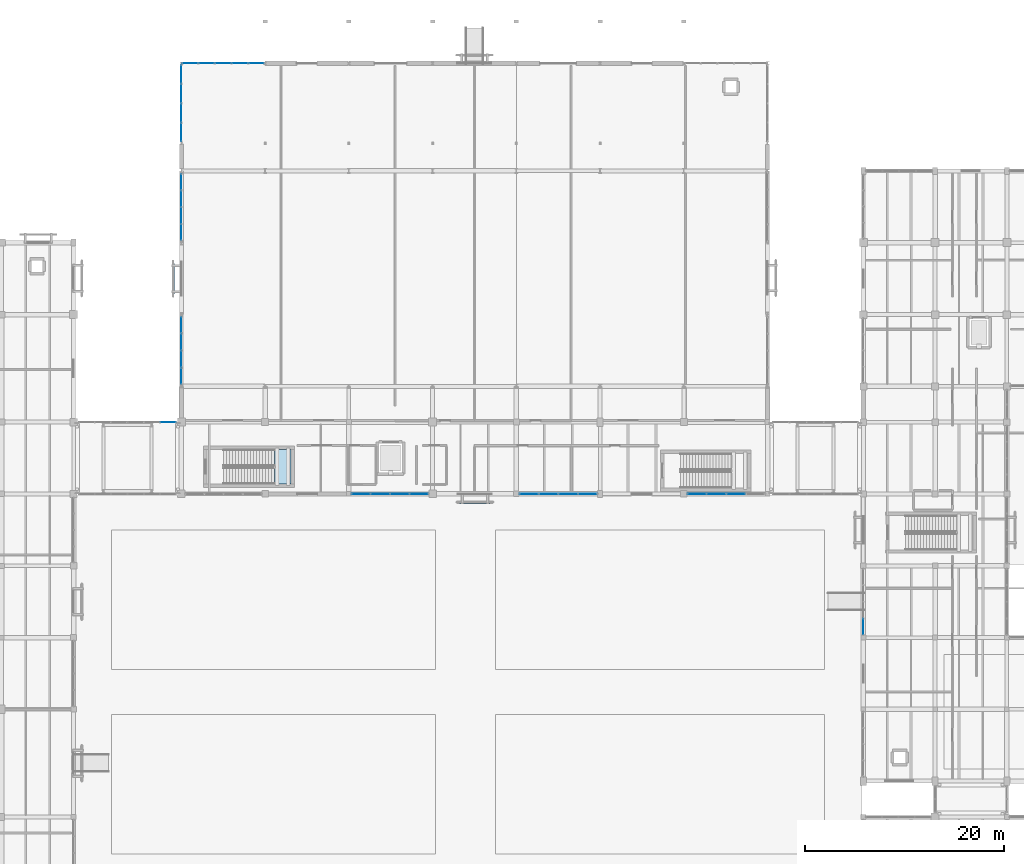
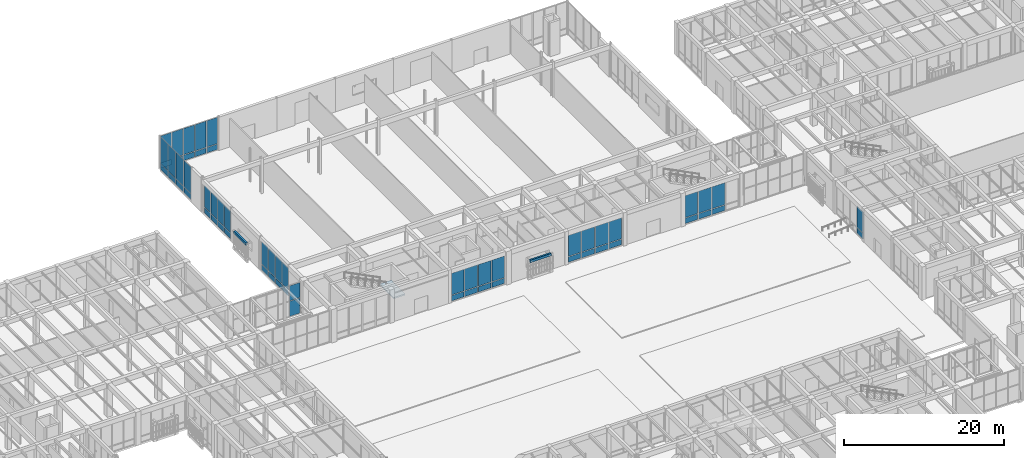
# One storey, part 114 of 169: 62 plates, 1 slab, 10 elements without a shape of their own.
"""IFC4 building model written with IfcOpenShell, lengths in metres."""

from ifc_helpers import new_model, si_unit, direction, frame, origin, origin_2d, place, context, subcontext, project, spatial, polyline, rectangle, outline, extrude, material, layer, layer_set, type_object, element, aggregate, save


model = new_model("IFC4")

# Units and contexts
model_context = context("Model", 3, precision=1e-05, world=origin(), true_north=direction((0.0, 1.0)))
body_context = subcontext(model_context, "Body", "Model", "MODEL_VIEW")
ifc_project = project(units=[si_unit("LENGTHUNIT", "METRE"), si_unit("AREAUNIT", "SQUARE_METRE"), si_unit("VOLUMEUNIT", "CUBIC_METRE"), si_unit("PLANEANGLEUNIT", "RADIAN"), si_unit("MASSUNIT", "GRAM", prefix="KILO")], contexts=[model_context])

# Site, building, storey
site_placement = place(None, origin())
site = spatial("IfcSite", under=ifc_project, at=site_placement, CompositionType="ELEMENT")
building_placement = place(site_placement, origin())
building = spatial("IfcBuilding", under=site, at=building_placement, Name="Mazaris Harbour Polytechnic", CompositionType="ELEMENT")
storey_placement = place(building_placement, origin())
storey = spatial("IfcBuildingStorey", under=building, at=storey_placement, Name="L00", CompositionType="ELEMENT", Elevation=0.0)

# Curtain wall, plates
ifc_material_1 = material(Name="Anodised Bronze Aluminium and Low-E Glass", Category="aluminium")
ifc_layer_1 = layer(ifc_material_1, 0.14990234375, Name="Anodised Bronze Aluminium and Low-E Glass")
ifc_layer_set_1 = layer_set([ifc_layer_1], Name="Anodised Bronze Aluminium and Low-E Glass")
curtain_wall_type_1 = type_object("IfcCurtainWallType", Name="Workshop Clerestory Curtain Wall", PredefinedType="NOTDEFINED", material=ifc_layer_set_1)
curtain_wall_1_placement = place(storey_placement, origin())
curtain_wall_1 = element("IfcCurtainWall", 1, at=curtain_wall_1_placement, inside=storey, type_object=curtain_wall_type_1, Name="V1 L00 Curtain Wall 2", PredefinedType="NOTDEFINED")
ifc_material_2 = material(Name="Acoustic Low-E Double Glazing", Category="glass")
ifc_layer_2 = layer(ifc_material_2, 0.033935546875, Name="Acoustic Low-E Double Glazing")
ifc_layer_set_2 = layer_set([ifc_layer_2], Name="Acoustic Low-E Double Glazing")
plate_type_1 = type_object("IfcPlateType", Name="Acoustic Laminated Glass Panel 34", PredefinedType="CURTAIN_PANEL", material=ifc_layer_set_2)
plate_1_placement = place(storey_placement, frame((77.8310546875, 75.60009765625, 0.080078125), z_axis=(0.0, 0.0, 1.0), x_axis=(-1.0, 0.0, 0.0)))
plate_1 = element("IfcPlate", 2, at=plate_1_placement, type_object=plate_type_1, Name="CW-04 panel 1.1", PredefinedType="CURTAIN_PANEL", context=body_context, shape_type="SweptSolid", body=[
    extrude(rectangle(XDim=1.803955078125, YDim=0.033935546875, at=origin_2d()), origin(), (0.0, 0.0, 1.0), 0.830078125),
])
plate_2_placement = place(storey_placement, frame((77.8310546875, 75.60009765625, 0.98974609375), z_axis=(0.0, 0.0, 1.0), x_axis=(-1.0, 0.0, 0.0)))
plate_2 = element("IfcPlate", 3, at=plate_2_placement, type_object=plate_type_1, Name="CW-04 panel 1.2", PredefinedType="CURTAIN_PANEL", context=body_context, shape_type="SweptSolid", body=[
    extrude(rectangle(XDim=1.803955078125, YDim=0.033935546875, at=origin_2d()), origin(), (0.0, 0.0, 1.0), 3.300048828125),
])
plate_3_placement = place(storey_placement, frame((75.902099609375, 75.60009765625, 0.080078125), z_axis=(0.0, 0.0, 1.0), x_axis=(-1.0, 0.0, 0.0)))
plate_3 = element("IfcPlate", 4, at=plate_3_placement, type_object=plate_type_1, Name="CW-04 panel 2.1", PredefinedType="CURTAIN_PANEL", context=body_context, shape_type="SweptSolid", body=[
    extrude(rectangle(XDim=1.85400390625, YDim=0.033935546875, at=origin_2d()), origin(), (0.0, 0.0, 1.0), 0.830078125),
])
plate_4_placement = place(storey_placement, frame((75.902099609375, 75.60009765625, 0.98974609375), z_axis=(0.0, 0.0, 1.0), x_axis=(-1.0, 0.0, 0.0)))
plate_4 = element("IfcPlate", 5, at=plate_4_placement, type_object=plate_type_1, Name="CW-04 panel 2.2", PredefinedType="CURTAIN_PANEL", context=body_context, shape_type="SweptSolid", body=[
    extrude(rectangle(XDim=1.85400390625, YDim=0.033935546875, at=origin_2d()), origin(), (0.0, 0.0, 1.0), 3.300048828125),
])
plate_5_placement = place(storey_placement, frame((73.947998046875, 75.60009765625, 0.080078125), z_axis=(0.0, 0.0, 1.0), x_axis=(-1.0, 0.0, 0.0)))
plate_5 = element("IfcPlate", 6, at=plate_5_placement, type_object=plate_type_1, Name="CW-04 panel 3.1", PredefinedType="CURTAIN_PANEL", context=body_context, shape_type="SweptSolid", body=[
    extrude(rectangle(XDim=1.85400390625, YDim=0.033935546875, at=origin_2d()), origin(), (0.0, 0.0, 1.0), 0.830078125),
])
plate_6_placement = place(storey_placement, frame((73.947998046875, 75.60009765625, 0.98974609375), z_axis=(0.0, 0.0, 1.0), x_axis=(-1.0, 0.0, 0.0)))
plate_6 = element("IfcPlate", 7, at=plate_6_placement, type_object=plate_type_1, Name="CW-04 panel 3.2", PredefinedType="CURTAIN_PANEL", context=body_context, shape_type="SweptSolid", body=[
    extrude(rectangle(XDim=1.85400390625, YDim=0.033935546875, at=origin_2d()), origin(), (0.0, 0.0, 1.0), 3.300048828125),
])
plate_7_placement = place(storey_placement, frame((72.01904296875, 75.60009765625, 0.080078125), z_axis=(0.0, 0.0, 1.0), x_axis=(-1.0, 0.0, 0.0)))
plate_7 = element("IfcPlate", 8, at=plate_7_placement, type_object=plate_type_1, Name="CW-04 panel 4.1", PredefinedType="CURTAIN_PANEL", context=body_context, shape_type="SweptSolid", body=[
    extrude(rectangle(XDim=1.803955078125, YDim=0.033935546875, at=origin_2d()), origin(), (0.0, 0.0, 1.0), 0.830078125),
])
plate_8_placement = place(storey_placement, frame((72.01904296875, 75.60009765625, 0.98974609375), z_axis=(0.0, 0.0, 1.0), x_axis=(-1.0, 0.0, 0.0)))
plate_8 = element("IfcPlate", 9, at=plate_8_placement, type_object=plate_type_1, Name="CW-04 panel 4.2", PredefinedType="CURTAIN_PANEL", context=body_context, shape_type="SweptSolid", body=[
    extrude(rectangle(XDim=1.803955078125, YDim=0.033935546875, at=origin_2d()), origin(), (0.0, 0.0, 1.0), 3.300048828125),
])
aggregate(curtain_wall_1, [plate_1, plate_2, plate_3, plate_4, plate_5, plate_6, plate_7, plate_8])

curtain_wall_2_placement = place(storey_placement, origin())
curtain_wall_2 = element("IfcCurtainWall", 10, at=curtain_wall_2_placement, inside=storey, type_object=curtain_wall_type_1, Name="V1 L00 Curtain Wall 3", PredefinedType="NOTDEFINED")
plate_9_placement = place(storey_placement, frame((94.74658203125, 75.60009765625, 0.080078125), z_axis=(0.0, 0.0, 1.0), x_axis=(-1.0, 0.0, 0.0)))
plate_9 = element("IfcPlate", 11, at=plate_9_placement, type_object=plate_type_1, Name="CW-04 panel 1.1", PredefinedType="CURTAIN_PANEL", context=body_context, shape_type="SweptSolid", body=[
    extrude(rectangle(XDim=1.82275390625, YDim=0.033935546875, at=origin_2d()), origin(), (0.0, 0.0, 1.0), 0.830078125),
])
plate_10_placement = place(storey_placement, frame((94.74658203125, 75.60009765625, 0.990234375), z_axis=(0.0, 0.0, 1.0), x_axis=(-1.0, 0.0, 0.0)))
plate_10 = element("IfcPlate", 12, at=plate_10_placement, type_object=plate_type_1, Name="CW-04 panel 1.2", PredefinedType="CURTAIN_PANEL", context=body_context, shape_type="SweptSolid", body=[
    extrude(rectangle(XDim=1.82275390625, YDim=0.033935546875, at=origin_2d()), origin(), (0.0, 0.0, 1.0), 3.199951171875),
])
plate_11_placement = place(storey_placement, frame((92.798828125, 75.60009765625, 0.080078125), z_axis=(0.0, 0.0, 1.0), x_axis=(-1.0, 0.0, 0.0)))
plate_11 = element("IfcPlate", 13, at=plate_11_placement, type_object=plate_type_1, Name="CW-04 panel 2.1", PredefinedType="CURTAIN_PANEL", context=body_context, shape_type="SweptSolid", body=[
    extrude(rectangle(XDim=1.872802734375, YDim=0.033935546875, at=origin_2d()), origin(), (0.0, 0.0, 1.0), 0.830078125),
])
plate_12_placement = place(storey_placement, frame((92.798828125, 75.60009765625, 0.990234375), z_axis=(0.0, 0.0, 1.0), x_axis=(-1.0, 0.0, 0.0)))
plate_12 = element("IfcPlate", 14, at=plate_12_placement, type_object=plate_type_1, Name="CW-04 panel 2.2", PredefinedType="CURTAIN_PANEL", context=body_context, shape_type="SweptSolid", body=[
    extrude(rectangle(XDim=1.872802734375, YDim=0.033935546875, at=origin_2d()), origin(), (0.0, 0.0, 1.0), 3.199951171875),
])
plate_13_placement = place(storey_placement, frame((90.826171875, 75.60009765625, 0.080078125), z_axis=(0.0, 0.0, 1.0), x_axis=(-1.0, 0.0, 0.0)))
plate_13 = element("IfcPlate", 15, at=plate_13_placement, type_object=plate_type_1, Name="CW-04 panel 3.1", PredefinedType="CURTAIN_PANEL", context=body_context, shape_type="SweptSolid", body=[
    extrude(rectangle(XDim=1.872802734375, YDim=0.033935546875, at=origin_2d()), origin(), (0.0, 0.0, 1.0), 0.830078125),
])
plate_14_placement = place(storey_placement, frame((90.826171875, 75.60009765625, 0.990234375), z_axis=(0.0, 0.0, 1.0), x_axis=(-1.0, 0.0, 0.0)))
plate_14 = element("IfcPlate", 16, at=plate_14_placement, type_object=plate_type_1, Name="CW-04 panel 3.2", PredefinedType="CURTAIN_PANEL", context=body_context, shape_type="SweptSolid", body=[
    extrude(rectangle(XDim=1.872802734375, YDim=0.033935546875, at=origin_2d()), origin(), (0.0, 0.0, 1.0), 3.199951171875),
])
plate_15_placement = place(storey_placement, frame((88.87841796875, 75.60009765625, 0.080078125), z_axis=(0.0, 0.0, 1.0), x_axis=(-1.0, 0.0, 0.0)))
plate_15 = element("IfcPlate", 17, at=plate_15_placement, type_object=plate_type_1, Name="CW-04 panel 4.1", PredefinedType="CURTAIN_PANEL", context=body_context, shape_type="SweptSolid", body=[
    extrude(rectangle(XDim=1.82275390625, YDim=0.033935546875, at=origin_2d()), origin(), (0.0, 0.0, 1.0), 0.830078125),
])
plate_16_placement = place(storey_placement, frame((88.87841796875, 75.60009765625, 0.990234375), z_axis=(0.0, 0.0, 1.0), x_axis=(-1.0, 0.0, 0.0)))
plate_16 = element("IfcPlate", 18, at=plate_16_placement, type_object=plate_type_1, Name="CW-04 panel 4.2", PredefinedType="CURTAIN_PANEL", context=body_context, shape_type="SweptSolid", body=[
    extrude(rectangle(XDim=1.82275390625, YDim=0.033935546875, at=origin_2d()), origin(), (0.0, 0.0, 1.0), 3.199951171875),
])
aggregate(curtain_wall_2, [plate_9, plate_10, plate_11, plate_12, plate_13, plate_14, plate_15, plate_16])

curtain_wall_3_placement = place(storey_placement, origin())
curtain_wall_3 = element("IfcCurtainWall", 19, at=curtain_wall_3_placement, inside=storey, type_object=curtain_wall_type_1, Name="V1 L00 Curtain Wall 4", PredefinedType="NOTDEFINED")
plate_17_placement = place(storey_placement, frame((109.63330078125, 75.60009765625, 0.080078125), z_axis=(0.0, 0.0, 1.0), x_axis=(-1.0, 0.0, 0.0)))
plate_17 = element("IfcPlate", 20, at=plate_17_placement, type_object=plate_type_1, Name="CW-04 panel 2.1", PredefinedType="CURTAIN_PANEL", context=body_context, shape_type="SweptSolid", body=[
    extrude(rectangle(XDim=1.866455078125, YDim=0.033935546875, at=origin_2d()), origin(), (0.0, 0.0, 1.0), 0.830078125),
])
plate_18_placement = place(storey_placement, frame((109.63330078125, 75.60009765625, 0.989990234375), z_axis=(0.0, 0.0, 1.0), x_axis=(-1.0, 0.0, 0.0)))
plate_18 = element("IfcPlate", 21, at=plate_18_placement, type_object=plate_type_1, Name="CW-04 panel 2.2", PredefinedType="CURTAIN_PANEL", context=body_context, shape_type="SweptSolid", body=[
    extrude(rectangle(XDim=1.866455078125, YDim=0.033935546875, at=origin_2d()), origin(), (0.0, 0.0, 1.0), 3.35009765625),
])
plate_19_placement = place(storey_placement, frame((107.666748046875, 75.60009765625, 0.080078125), z_axis=(0.0, 0.0, 1.0), x_axis=(-1.0, 0.0, 0.0)))
plate_19 = element("IfcPlate", 22, at=plate_19_placement, type_object=plate_type_1, Name="CW-04 panel 3.1", PredefinedType="CURTAIN_PANEL", context=body_context, shape_type="SweptSolid", body=[
    extrude(rectangle(XDim=1.866455078125, YDim=0.033935546875, at=origin_2d()), origin(), (0.0, 0.0, 1.0), 0.830078125),
])
plate_20_placement = place(storey_placement, frame((107.666748046875, 75.60009765625, 0.989990234375), z_axis=(0.0, 0.0, 1.0), x_axis=(-1.0, 0.0, 0.0)))
plate_20 = element("IfcPlate", 23, at=plate_20_placement, type_object=plate_type_1, Name="CW-04 panel 3.2", PredefinedType="CURTAIN_PANEL", context=body_context, shape_type="SweptSolid", body=[
    extrude(rectangle(XDim=1.866455078125, YDim=0.033935546875, at=origin_2d()), origin(), (0.0, 0.0, 1.0), 3.35009765625),
])
plate_21_placement = place(storey_placement, frame((105.725341796875, 75.60009765625, 0.080078125), z_axis=(0.0, 0.0, 1.0), x_axis=(-1.0, 0.0, 0.0)))
plate_21 = element("IfcPlate", 24, at=plate_21_placement, type_object=plate_type_1, Name="CW-04 panel 4.1", PredefinedType="CURTAIN_PANEL", context=body_context, shape_type="SweptSolid", body=[
    extrude(rectangle(XDim=1.81640625, YDim=0.033935546875, at=origin_2d()), origin(), (0.0, 0.0, 1.0), 0.830078125),
])
plate_22_placement = place(storey_placement, frame((105.725341796875, 75.60009765625, 0.989990234375), z_axis=(0.0, 0.0, 1.0), x_axis=(-1.0, 0.0, 0.0)))
plate_22 = element("IfcPlate", 25, at=plate_22_placement, type_object=plate_type_1, Name="CW-04 panel 4.2", PredefinedType="CURTAIN_PANEL", context=body_context, shape_type="SweptSolid", body=[
    extrude(rectangle(XDim=1.81640625, YDim=0.033935546875, at=origin_2d()), origin(), (0.0, 0.0, 1.0), 3.35009765625),
])
aggregate(curtain_wall_3, [plate_17, plate_18, plate_19, plate_20, plate_21, plate_22])

curtain_wall_4_placement = place(storey_placement, origin())
curtain_wall_4 = element("IfcCurtainWall", 26, at=curtain_wall_4_placement, inside=storey, type_object=curtain_wall_type_1, Name="V1 L00 Curtain Wall 5", PredefinedType="NOTDEFINED")
plate_23_placement = place(storey_placement, frame((54.871337890625, 118.800048828125, 0.080078125), z_axis=(0.0, 0.0, 1.0), x_axis=(1.0, 0.0, 0.0)))
plate_23 = element("IfcPlate", 27, at=plate_23_placement, type_object=plate_type_1, Name="CW-04 panel 1.1", PredefinedType="CURTAIN_PANEL", context=body_context, shape_type="SweptSolid", body=[
    extrude(rectangle(XDim=1.52685546875, YDim=0.033935546875, at=origin_2d()), origin(), (0.0, 0.0, 1.0), 0.830078125),
])
plate_24_placement = place(storey_placement, frame((54.871337890625, 118.800048828125, 0.990234375), z_axis=(0.0, 0.0, 1.0), x_axis=(1.0, 0.0, 0.0)))
plate_24 = element("IfcPlate", 28, at=plate_24_placement, type_object=plate_type_1, Name="CW-04 panel 1.2", PredefinedType="CURTAIN_PANEL", context=body_context, shape_type="SweptSolid", body=[
    extrude(rectangle(XDim=1.52685546875, YDim=0.033935546875, at=origin_2d()), origin(), (0.0, 0.0, 1.0), 4.010009765625),
])
plate_25_placement = place(storey_placement, frame((56.523193359375, 118.800048828125, 0.080078125), z_axis=(0.0, 0.0, 1.0), x_axis=(1.0, 0.0, 0.0)))
plate_25 = element("IfcPlate", 29, at=plate_25_placement, type_object=plate_type_1, Name="CW-04 panel 2.1", PredefinedType="CURTAIN_PANEL", context=body_context, shape_type="SweptSolid", body=[
    extrude(rectangle(XDim=1.576904296875, YDim=0.033935546875, at=origin_2d()), origin(), (0.0, 0.0, 1.0), 0.830078125),
])
plate_26_placement = place(storey_placement, frame((56.523193359375, 118.800048828125, 0.990234375), z_axis=(0.0, 0.0, 1.0), x_axis=(1.0, 0.0, 0.0)))
plate_26 = element("IfcPlate", 30, at=plate_26_placement, type_object=plate_type_1, Name="CW-04 panel 2.2", PredefinedType="CURTAIN_PANEL", context=body_context, shape_type="SweptSolid", body=[
    extrude(rectangle(XDim=1.576904296875, YDim=0.033935546875, at=origin_2d()), origin(), (0.0, 0.0, 1.0), 4.010009765625),
])
plate_27_placement = place(storey_placement, frame((58.199951171875, 118.800048828125, 0.080078125), z_axis=(0.0, 0.0, 1.0), x_axis=(1.0, 0.0, 0.0)))
plate_27 = element("IfcPlate", 31, at=plate_27_placement, type_object=plate_type_1, Name="CW-04 panel 3.1", PredefinedType="CURTAIN_PANEL", context=body_context, shape_type="SweptSolid", body=[
    extrude(rectangle(XDim=1.576904296875, YDim=0.033935546875, at=origin_2d()), origin(), (0.0, 0.0, 1.0), 0.830078125),
])
plate_28_placement = place(storey_placement, frame((58.199951171875, 118.800048828125, 0.990234375), z_axis=(0.0, 0.0, 1.0), x_axis=(1.0, 0.0, 0.0)))
plate_28 = element("IfcPlate", 32, at=plate_28_placement, type_object=plate_type_1, Name="CW-04 panel 3.2", PredefinedType="CURTAIN_PANEL", context=body_context, shape_type="SweptSolid", body=[
    extrude(rectangle(XDim=1.576904296875, YDim=0.033935546875, at=origin_2d()), origin(), (0.0, 0.0, 1.0), 4.010009765625),
])
plate_29_placement = place(storey_placement, frame((59.876708984375, 118.800048828125, 0.080078125), z_axis=(0.0, 0.0, 1.0), x_axis=(1.0, 0.0, 0.0)))
plate_29 = element("IfcPlate", 33, at=plate_29_placement, type_object=plate_type_1, Name="CW-04 panel 4.1", PredefinedType="CURTAIN_PANEL", context=body_context, shape_type="SweptSolid", body=[
    extrude(rectangle(XDim=1.576904296875, YDim=0.033935546875, at=origin_2d()), origin(), (0.0, 0.0, 1.0), 0.830078125),
])
plate_30_placement = place(storey_placement, frame((59.876708984375, 118.800048828125, 0.990234375), z_axis=(0.0, 0.0, 1.0), x_axis=(1.0, 0.0, 0.0)))
plate_30 = element("IfcPlate", 34, at=plate_30_placement, type_object=plate_type_1, Name="CW-04 panel 4.2", PredefinedType="CURTAIN_PANEL", context=body_context, shape_type="SweptSolid", body=[
    extrude(rectangle(XDim=1.576904296875, YDim=0.033935546875, at=origin_2d()), origin(), (0.0, 0.0, 1.0), 4.010009765625),
])
plate_31_placement = place(storey_placement, frame((61.528564453125, 118.800048828125, 0.080078125), z_axis=(0.0, 0.0, 1.0), x_axis=(1.0, 0.0, 0.0)))
plate_31 = element("IfcPlate", 35, at=plate_31_placement, type_object=plate_type_1, Name="CW-04 panel 5.1", PredefinedType="CURTAIN_PANEL", context=body_context, shape_type="SweptSolid", body=[
    extrude(rectangle(XDim=1.52685546875, YDim=0.033935546875, at=origin_2d()), origin(), (0.0, 0.0, 1.0), 0.830078125),
])
plate_32_placement = place(storey_placement, frame((61.528564453125, 118.800048828125, 0.990234375), z_axis=(0.0, 0.0, 1.0), x_axis=(1.0, 0.0, 0.0)))
plate_32 = element("IfcPlate", 36, at=plate_32_placement, type_object=plate_type_1, Name="CW-04 panel 5.2", PredefinedType="CURTAIN_PANEL", context=body_context, shape_type="SweptSolid", body=[
    extrude(rectangle(XDim=1.52685546875, YDim=0.033935546875, at=origin_2d()), origin(), (0.0, 0.0, 1.0), 4.010009765625),
])
aggregate(curtain_wall_4, [plate_23, plate_24, plate_25, plate_26, plate_27, plate_28, plate_29, plate_30, plate_31, plate_32])

curtain_wall_5_placement = place(storey_placement, origin())
curtain_wall_5 = element("IfcCurtainWall", 37, at=curtain_wall_5_placement, inside=storey, type_object=curtain_wall_type_1, Name="V1 L00 Curtain Wall 7", PredefinedType="NOTDEFINED")
plate_33_placement = place(storey_placement, frame((54.0, 87.42529296875, 0.080078125), z_axis=(0.0, 0.0, 1.0), x_axis=(0.0, 1.0, 0.0)))
plate_33 = element("IfcPlate", 38, at=plate_33_placement, type_object=plate_type_1, Name="CW-04 panel 1.1", PredefinedType="CURTAIN_PANEL", context=body_context, shape_type="SweptSolid", body=[
    extrude(rectangle(XDim=1.576416015625, YDim=0.033935546875, at=origin_2d()), origin(), (0.0, 0.0, 1.0), 0.830078125),
])
plate_34_placement = place(storey_placement, frame((54.0, 87.42529296875, 0.989990234375), z_axis=(0.0, 0.0, 1.0), x_axis=(0.0, 1.0, 0.0)))
plate_34 = element("IfcPlate", 39, at=plate_34_placement, type_object=plate_type_1, Name="CW-04 panel 1.2", PredefinedType="CURTAIN_PANEL", context=body_context, shape_type="SweptSolid", body=[
    extrude(rectangle(XDim=1.576416015625, YDim=0.033935546875, at=origin_2d()), origin(), (0.0, 0.0, 1.0), 3.39990234375),
])
plate_35_placement = place(storey_placement, frame((54.0, 89.126708984375, 0.080078125), z_axis=(0.0, 0.0, 1.0), x_axis=(0.0, 1.0, 0.0)))
plate_35 = element("IfcPlate", 40, at=plate_35_placement, type_object=plate_type_1, Name="CW-04 panel 2.1", PredefinedType="CURTAIN_PANEL", context=body_context, shape_type="SweptSolid", body=[
    extrude(rectangle(XDim=1.62646484375, YDim=0.033935546875, at=origin_2d()), origin(), (0.0, 0.0, 1.0), 0.830078125),
])
plate_36_placement = place(storey_placement, frame((54.0, 89.126708984375, 0.989990234375), z_axis=(0.0, 0.0, 1.0), x_axis=(0.0, 1.0, 0.0)))
plate_36 = element("IfcPlate", 41, at=plate_36_placement, type_object=plate_type_1, Name="CW-04 panel 2.2", PredefinedType="CURTAIN_PANEL", context=body_context, shape_type="SweptSolid", body=[
    extrude(rectangle(XDim=1.62646484375, YDim=0.033935546875, at=origin_2d()), origin(), (0.0, 0.0, 1.0), 3.39990234375),
])
plate_37_placement = place(storey_placement, frame((54.0, 90.853271484375, 0.080078125), z_axis=(0.0, 0.0, 1.0), x_axis=(0.0, 1.0, 0.0)))
plate_37 = element("IfcPlate", 42, at=plate_37_placement, type_object=plate_type_1, Name="CW-04 panel 3.1", PredefinedType="CURTAIN_PANEL", context=body_context, shape_type="SweptSolid", body=[
    extrude(rectangle(XDim=1.62646484375, YDim=0.033935546875, at=origin_2d()), origin(), (0.0, 0.0, 1.0), 0.830078125),
])
plate_38_placement = place(storey_placement, frame((54.0, 90.853271484375, 0.989990234375), z_axis=(0.0, 0.0, 1.0), x_axis=(0.0, 1.0, 0.0)))
plate_38 = element("IfcPlate", 43, at=plate_38_placement, type_object=plate_type_1, Name="CW-04 panel 3.2", PredefinedType="CURTAIN_PANEL", context=body_context, shape_type="SweptSolid", body=[
    extrude(rectangle(XDim=1.62646484375, YDim=0.033935546875, at=origin_2d()), origin(), (0.0, 0.0, 1.0), 3.39990234375),
])
plate_39_placement = place(storey_placement, frame((54.0, 92.5546875, 0.080078125), z_axis=(0.0, 0.0, 1.0), x_axis=(0.0, 1.0, 0.0)))
plate_39 = element("IfcPlate", 44, at=plate_39_placement, type_object=plate_type_1, Name="CW-04 panel 4.1", PredefinedType="CURTAIN_PANEL", context=body_context, shape_type="SweptSolid", body=[
    extrude(rectangle(XDim=1.576416015625, YDim=0.033935546875, at=origin_2d()), origin(), (0.0, 0.0, 1.0), 0.830078125),
])
plate_40_placement = place(storey_placement, frame((54.0, 92.5546875, 0.989990234375), z_axis=(0.0, 0.0, 1.0), x_axis=(0.0, 1.0, 0.0)))
plate_40 = element("IfcPlate", 45, at=plate_40_placement, type_object=plate_type_1, Name="CW-04 panel 4.2", PredefinedType="CURTAIN_PANEL", context=body_context, shape_type="SweptSolid", body=[
    extrude(rectangle(XDim=1.576416015625, YDim=0.033935546875, at=origin_2d()), origin(), (0.0, 0.0, 1.0), 3.39990234375),
])
aggregate(curtain_wall_5, [plate_33, plate_34, plate_35, plate_36, plate_37, plate_38, plate_39, plate_40])

curtain_wall_6_placement = place(storey_placement, origin())
curtain_wall_6 = element("IfcCurtainWall", 46, at=curtain_wall_6_placement, inside=storey, type_object=curtain_wall_type_1, Name="V1 L00 Curtain Wall 8", PredefinedType="NOTDEFINED")
plate_41_placement = place(storey_placement, frame((54.0, 101.85205078125, 0.080078125), z_axis=(0.0, 0.0, 1.0), x_axis=(0.0, 1.0, 0.0)))
plate_41 = element("IfcPlate", 47, at=plate_41_placement, type_object=plate_type_1, Name="CW-04 panel 1.1", PredefinedType="CURTAIN_PANEL", context=body_context, shape_type="SweptSolid", body=[
    extrude(rectangle(XDim=1.55029296875, YDim=0.033935546875, at=origin_2d()), origin(), (0.0, 0.0, 1.0), 0.830078125),
])
plate_42_placement = place(storey_placement, frame((54.0, 101.85205078125, 0.98974609375), z_axis=(0.0, 0.0, 1.0), x_axis=(0.0, 1.0, 0.0)))
plate_42 = element("IfcPlate", 48, at=plate_42_placement, type_object=plate_type_1, Name="CW-04 panel 1.2", PredefinedType="CURTAIN_PANEL", context=body_context, shape_type="SweptSolid", body=[
    extrude(rectangle(XDim=1.55029296875, YDim=0.033935546875, at=origin_2d()), origin(), (0.0, 0.0, 1.0), 3.300048828125),
])
plate_43_placement = place(storey_placement, frame((54.0, 103.52734375, 0.080078125), z_axis=(0.0, 0.0, 1.0), x_axis=(0.0, 1.0, 0.0)))
plate_43 = element("IfcPlate", 49, at=plate_43_placement, type_object=plate_type_1, Name="CW-04 panel 2.1", PredefinedType="CURTAIN_PANEL", context=body_context, shape_type="SweptSolid", body=[
    extrude(rectangle(XDim=1.600341796875, YDim=0.033935546875, at=origin_2d()), origin(), (0.0, 0.0, 1.0), 0.830078125),
])
plate_44_placement = place(storey_placement, frame((54.0, 103.52734375, 0.98974609375), z_axis=(0.0, 0.0, 1.0), x_axis=(0.0, 1.0, 0.0)))
plate_44 = element("IfcPlate", 50, at=plate_44_placement, type_object=plate_type_1, Name="CW-04 panel 2.2", PredefinedType="CURTAIN_PANEL", context=body_context, shape_type="SweptSolid", body=[
    extrude(rectangle(XDim=1.600341796875, YDim=0.033935546875, at=origin_2d()), origin(), (0.0, 0.0, 1.0), 3.300048828125),
])
plate_45_placement = place(storey_placement, frame((54.0, 105.2275390625, 0.080078125), z_axis=(0.0, 0.0, 1.0), x_axis=(0.0, 1.0, 0.0)))
plate_45 = element("IfcPlate", 51, at=plate_45_placement, type_object=plate_type_1, Name="CW-04 panel 3.1", PredefinedType="CURTAIN_PANEL", context=body_context, shape_type="SweptSolid", body=[
    extrude(rectangle(XDim=1.600341796875, YDim=0.033935546875, at=origin_2d()), origin(), (0.0, 0.0, 1.0), 0.830078125),
])
plate_46_placement = place(storey_placement, frame((54.0, 105.2275390625, 0.98974609375), z_axis=(0.0, 0.0, 1.0), x_axis=(0.0, 1.0, 0.0)))
plate_46 = element("IfcPlate", 52, at=plate_46_placement, type_object=plate_type_1, Name="CW-04 panel 3.2", PredefinedType="CURTAIN_PANEL", context=body_context, shape_type="SweptSolid", body=[
    extrude(rectangle(XDim=1.600341796875, YDim=0.033935546875, at=origin_2d()), origin(), (0.0, 0.0, 1.0), 3.300048828125),
])
plate_47_placement = place(storey_placement, frame((54.0, 106.90283203125, 0.080078125), z_axis=(0.0, 0.0, 1.0), x_axis=(0.0, 1.0, 0.0)))
plate_47 = element("IfcPlate", 53, at=plate_47_placement, type_object=plate_type_1, Name="CW-04 panel 4.1", PredefinedType="CURTAIN_PANEL", context=body_context, shape_type="SweptSolid", body=[
    extrude(rectangle(XDim=1.55029296875, YDim=0.033935546875, at=origin_2d()), origin(), (0.0, 0.0, 1.0), 0.830078125),
])
plate_48_placement = place(storey_placement, frame((54.0, 106.90283203125, 0.98974609375), z_axis=(0.0, 0.0, 1.0), x_axis=(0.0, 1.0, 0.0)))
plate_48 = element("IfcPlate", 54, at=plate_48_placement, type_object=plate_type_1, Name="CW-04 panel 4.2", PredefinedType="CURTAIN_PANEL", context=body_context, shape_type="SweptSolid", body=[
    extrude(rectangle(XDim=1.55029296875, YDim=0.033935546875, at=origin_2d()), origin(), (0.0, 0.0, 1.0), 3.300048828125),
])
aggregate(curtain_wall_6, [plate_41, plate_42, plate_43, plate_44, plate_45, plate_46, plate_47, plate_48])

curtain_wall_7_placement = place(storey_placement, origin())
curtain_wall_7 = element("IfcCurtainWall", 55, at=curtain_wall_7_placement, inside=storey, type_object=curtain_wall_type_1, Name="V1 L00 Curtain Wall 9", PredefinedType="NOTDEFINED")
plate_49_placement = place(storey_placement, frame((54.0, 111.895263671875, 0.080078125), z_axis=(0.0, 0.0, 1.0), x_axis=(0.0, 1.0, 0.0)))
plate_49 = element("IfcPlate", 56, at=plate_49_placement, type_object=plate_type_1, Name="CW-04 panel 1.1", PredefinedType="CURTAIN_PANEL", context=body_context, shape_type="SweptSolid", body=[
    extrude(rectangle(XDim=1.79638671875, YDim=0.033935546875, at=origin_2d()), origin(), (0.0, 0.0, 1.0), 0.830078125),
])
plate_50_placement = place(storey_placement, frame((54.0, 111.895263671875, 0.990234375), z_axis=(0.0, 0.0, 1.0), x_axis=(0.0, 1.0, 0.0)))
plate_50 = element("IfcPlate", 57, at=plate_50_placement, type_object=plate_type_1, Name="CW-04 panel 1.2", PredefinedType="CURTAIN_PANEL", context=body_context, shape_type="SweptSolid", body=[
    extrude(rectangle(XDim=1.79638671875, YDim=0.033935546875, at=origin_2d()), origin(), (0.0, 0.0, 1.0), 4.010009765625),
])
plate_51_placement = place(storey_placement, frame((54.0, 113.816650390625, 0.080078125), z_axis=(0.0, 0.0, 1.0), x_axis=(0.0, 1.0, 0.0)))
plate_51 = element("IfcPlate", 58, at=plate_51_placement, type_object=plate_type_1, Name="CW-04 panel 2.1", PredefinedType="CURTAIN_PANEL", context=body_context, shape_type="SweptSolid", body=[
    extrude(rectangle(XDim=1.846435546875, YDim=0.033935546875, at=origin_2d()), origin(), (0.0, 0.0, 1.0), 0.830078125),
])
plate_52_placement = place(storey_placement, frame((54.0, 113.816650390625, 0.990234375), z_axis=(0.0, 0.0, 1.0), x_axis=(0.0, 1.0, 0.0)))
plate_52 = element("IfcPlate", 59, at=plate_52_placement, type_object=plate_type_1, Name="CW-04 panel 2.2", PredefinedType="CURTAIN_PANEL", context=body_context, shape_type="SweptSolid", body=[
    extrude(rectangle(XDim=1.846435546875, YDim=0.033935546875, at=origin_2d()), origin(), (0.0, 0.0, 1.0), 4.010009765625),
])
plate_53_placement = place(storey_placement, frame((54.0, 115.76318359375, 0.080078125), z_axis=(0.0, 0.0, 1.0), x_axis=(0.0, 1.0, 0.0)))
plate_53 = element("IfcPlate", 60, at=plate_53_placement, type_object=plate_type_1, Name="CW-04 panel 3.1", PredefinedType="CURTAIN_PANEL", context=body_context, shape_type="SweptSolid", body=[
    extrude(rectangle(XDim=1.846435546875, YDim=0.033935546875, at=origin_2d()), origin(), (0.0, 0.0, 1.0), 0.830078125),
])
plate_54_placement = place(storey_placement, frame((54.0, 115.76318359375, 0.990234375), z_axis=(0.0, 0.0, 1.0), x_axis=(0.0, 1.0, 0.0)))
plate_54 = element("IfcPlate", 61, at=plate_54_placement, type_object=plate_type_1, Name="CW-04 panel 3.2", PredefinedType="CURTAIN_PANEL", context=body_context, shape_type="SweptSolid", body=[
    extrude(rectangle(XDim=1.846435546875, YDim=0.033935546875, at=origin_2d()), origin(), (0.0, 0.0, 1.0), 4.010009765625),
])
plate_55_placement = place(storey_placement, frame((54.0, 117.684814453125, 0.080078125), z_axis=(0.0, 0.0, 1.0), x_axis=(0.0, 1.0, 0.0)))
plate_55 = element("IfcPlate", 62, at=plate_55_placement, type_object=plate_type_1, Name="CW-04 panel 4.1", PredefinedType="CURTAIN_PANEL", context=body_context, shape_type="SweptSolid", body=[
    extrude(rectangle(XDim=1.79638671875, YDim=0.033935546875, at=origin_2d()), origin(), (0.0, 0.0, 1.0), 0.830078125),
])
plate_56_placement = place(storey_placement, frame((54.0, 117.684814453125, 0.990234375), z_axis=(0.0, 0.0, 1.0), x_axis=(0.0, 1.0, 0.0)))
plate_56 = element("IfcPlate", 63, at=plate_56_placement, type_object=plate_type_1, Name="CW-04 panel 4.2", PredefinedType="CURTAIN_PANEL", context=body_context, shape_type="SweptSolid", body=[
    extrude(rectangle(XDim=1.79638671875, YDim=0.033935546875, at=origin_2d()), origin(), (0.0, 0.0, 1.0), 4.010009765625),
])
aggregate(curtain_wall_7, [plate_49, plate_50, plate_51, plate_52, plate_53, plate_54, plate_55, plate_56])

ifc_material_3 = material(Name="Anodised Bronze Aluminium and Low-E Glass", Category="aluminium")
ifc_layer_3 = layer(ifc_material_3, 0.139892578125, Name="Anodised Bronze Aluminium and Low-E Glass")
ifc_layer_set_3 = layer_set([ifc_layer_3], Name="Anodised Bronze Aluminium and Low-E Glass")
curtain_wall_type_2 = type_object("IfcCurtainWallType", Name="Seismic Link Bridge Glazing", PredefinedType="NOTDEFINED", material=ifc_layer_set_3)
curtain_wall_8_placement = place(storey_placement, origin())
curtain_wall_8 = element("IfcCurtainWall", 64, at=curtain_wall_8_placement, inside=storey, type_object=curtain_wall_type_2, Name="PB-W2 L00 Bridge Glazing", PredefinedType="NOTDEFINED")
ifc_material_4 = material(Name="Low-E Double Glazing", Category="glass")
ifc_layer_4 = layer(ifc_material_4, 0.028076171875, Name="Low-E Double Glazing")
ifc_layer_set_4 = layer_set([ifc_layer_4], Name="Low-E Double Glazing")
plate_type_2 = type_object("IfcPlateType", Name="Low-E Vision Glass Panel 28", PredefinedType="CURTAIN_PANEL", material=ifc_layer_set_4)
plate_57_placement = place(storey_placement, frame((52.679931640625, 82.800048828125, 0.080078125), z_axis=(0.0, 0.0, 1.0), x_axis=(-1.0, 0.0, 0.0)))
plate_57 = element("IfcPlate", 65, at=plate_57_placement, type_object=plate_type_2, Name="CW-05 panel 1.1", PredefinedType="CURTAIN_PANEL", context=body_context, shape_type="SweptSolid", body=[
    extrude(rectangle(XDim=1.52001953125, YDim=0.028076171875, at=origin_2d()), origin(), (0.0, 0.0, 1.0), 2.297607421875),
])
plate_58_placement = place(storey_placement, frame((52.679931640625, 82.800048828125, 2.45751953125), z_axis=(0.0, 0.0, 1.0), x_axis=(-1.0, 0.0, 0.0)))
plate_58 = element("IfcPlate", 66, at=plate_58_placement, type_object=plate_type_2, Name="CW-05 panel 1.2", PredefinedType="CURTAIN_PANEL", context=body_context, shape_type="SweptSolid", body=[
    extrude(rectangle(XDim=1.52001953125, YDim=0.028076171875, at=origin_2d()), origin(), (0.0, 0.0, 1.0), 2.297607421875),
])
aggregate(curtain_wall_8, [plate_57, plate_58])

# Plates
ifc_material_5 = material(Name="Perforated Earth-Coloured Terracotta Block", Category="masonry")
ifc_layer_5 = layer(ifc_material_5, 0.25, Name="Perforated Earth-Coloured Terracotta Block")
ifc_layer_set_5 = layer_set([ifc_layer_5], Name="Perforated Earth-Coloured Terracotta Block")
plate_type_3 = type_object("IfcPlateType", Name="Perforated Terracotta Workshop Screen 3060x250x380", PredefinedType="USERDEFINED", material=ifc_layer_set_5)
for number, where, z_axis, x_axis, name in (
    (67, (83.449951171875, 74.780029296875, 2.68017578125), (0.0, 0.0, 1.0), (-1.0, 0.0, 0.0), "V1 L00 Terracotta Screen Crest Plaque 1"),
    (68, (53.179931640625, 97.18994140625, 2.68017578125), (0.0, 0.0, 1.0), (0.0, 1.0, 0.0), "V1 L00 Terracotta Screen Crest Plaque 3"),
):
    element("IfcPlate", number, at=place(storey_placement, frame(where, z_axis=z_axis, x_axis=x_axis)), inside=storey, type_object=plate_type_3, Name=name, ObjectType="SOLAR SCREEN", PredefinedType="USERDEFINED", context=body_context, shape_type="SweptSolid", body=[
        extrude(rectangle(XDim=3.06005859375, YDim=0.25, at=origin_2d()), origin(), (0.0, 0.0, 1.0), 0.3798828125),
    ])

# Stair, slab
ifc_material_6 = material(Name="Concrete C40/50", Category="concrete")
stair_type = type_object("IfcStairType", Name="Core Exit Stair H5400", PredefinedType="HALF_TURN_STAIR", material=ifc_material_6)
stair_placement = place(storey_placement, origin())
stair = element("IfcStair", 69, at=stair_placement, inside=storey, type_object=stair_type, Name="L00 ST01", PredefinedType="HALF_TURN_STAIR")
ifc_material_7 = material(Name="Concrete C40/50", Category="concrete")
ifc_layer_6 = layer(ifc_material_7, 0.199951171875, Name="Concrete C40/50")
ifc_layer_set_6 = layer_set([ifc_layer_6], Name="Concrete C40/50")
slab_type = type_object("IfcSlabType", Name="RC Stair Landing 200", PredefinedType="LANDING", material=ifc_layer_set_6)
slab_placement = place(storey_placement, frame((0.0, 0.0, 2.5)))
slab = element("IfcSlab", 70, at=slab_placement, type_object=slab_type, Name="ST01 landing 1", PredefinedType="LANDING", context=body_context, shape_type="SweptSolid", body=[
    extrude(outline(polyline([(63.35009765625, 76.60009765625), (65.0, 76.60009765625), (65.0, 80.050048828125), (63.35009765625, 80.050048828125), (63.35009765625, 76.60009765625)])), origin(), (0.0, 0.0, 1.0), 0.199951171875),
])
aggregate(stair, [slab])

# Curtain wall, plates
ifc_material_8 = material(Name="Anodised Bronze Aluminium and Low-E Glass", Category="aluminium")
ifc_layer_7 = layer(ifc_material_8, 0.169921875, Name="Anodised Bronze Aluminium and Low-E Glass")
ifc_layer_set_7 = layer_set([ifc_layer_7], Name="Anodised Bronze Aluminium and Low-E Glass")
curtain_wall_type_3 = type_object("IfcCurtainWallType", Name="Studio North-Light Curtain Wall", PredefinedType="NOTDEFINED", material=ifc_layer_set_7)
curtain_wall_9_placement = place(storey_placement, origin())
curtain_wall_9 = element("IfcCurtainWall", 71, at=curtain_wall_9_placement, inside=storey, type_object=curtain_wall_type_3, Name="V5 L00 Curtain Wall 188", PredefinedType="NOTDEFINED")
ifc_material_9 = material(Name="Solar-Control Low-E Glazing", Category="glass")
ifc_layer_8 = layer(ifc_material_9, 0.031982421875, Name="Solar-Control Low-E Glazing")
ifc_layer_set_8 = layer_set([ifc_layer_8], Name="Solar-Control Low-E Glazing")
plate_type_4 = type_object("IfcPlateType", Name="Solar Control Studio Glass Panel 32", PredefinedType="CURTAIN_PANEL", material=ifc_layer_set_8)
plate_59_placement = place(storey_placement, frame((122.39990234375, 62.29833984375, 0.080078125), z_axis=(0.0, 0.0, 1.0), x_axis=(0.0, 1.0, 0.0)))
plate_59 = element("IfcPlate", 72, at=plate_59_placement, type_object=plate_type_4, Name="CW-03 panel 1.1", PredefinedType="CURTAIN_PANEL", context=body_context, shape_type="SweptSolid", body=[
    extrude(rectangle(XDim=1.552734375, YDim=0.031982421875, at=origin_2d()), origin(), (0.0, 0.0, 1.0), 0.830078125),
])
plate_60_placement = place(storey_placement, frame((122.39990234375, 62.29833984375, 0.990234375), z_axis=(0.0, 0.0, 1.0), x_axis=(0.0, 1.0, 0.0)))
plate_60 = element("IfcPlate", 73, at=plate_60_placement, type_object=plate_type_4, Name="CW-03 panel 1.2", PredefinedType="CURTAIN_PANEL", context=body_context, shape_type="SweptSolid", body=[
    extrude(rectangle(XDim=1.552734375, YDim=0.031982421875, at=origin_2d()), origin(), (0.0, 0.0, 1.0), 3.219970703125),
])
aggregate(curtain_wall_9, [plate_59, plate_60])

save(model, "model.ifc")
